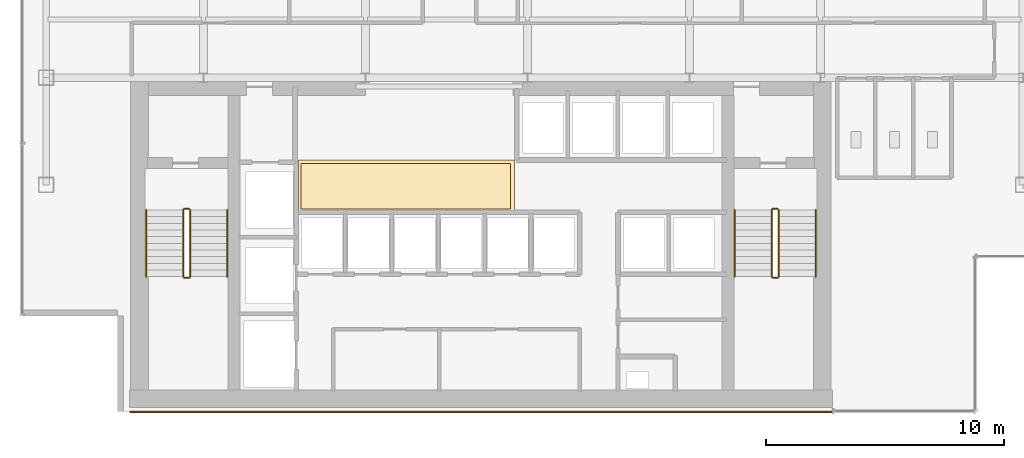
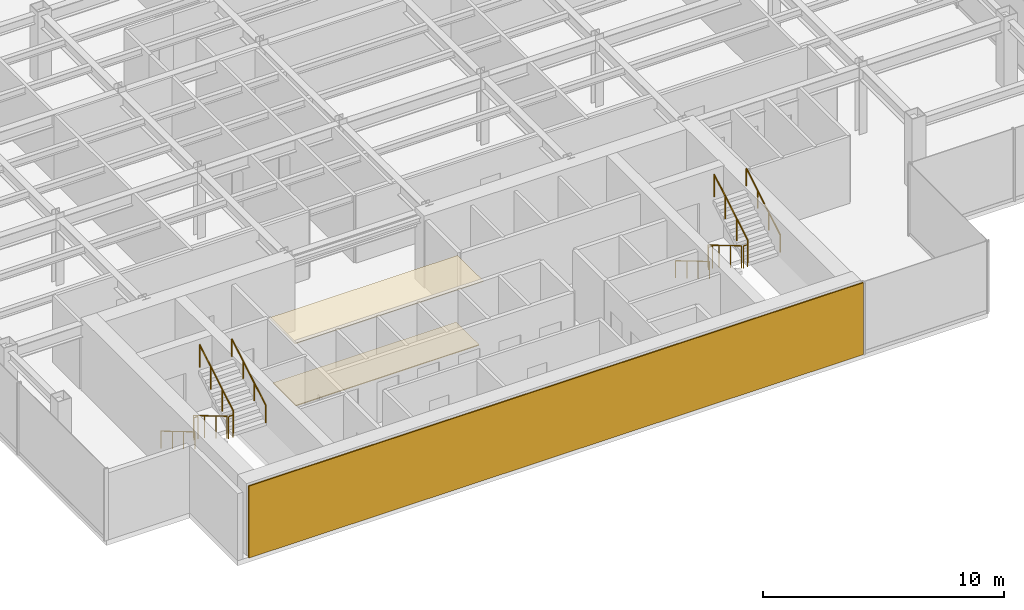
# One storey, part 23 of 25: 12 railings, 3 coverings.
"""IFC4 building model written with IfcOpenShell, lengths in metres."""

from ifc_helpers import new_model, si_unit, derived_unit, direction, frame, origin, origin_2d, place, context, subcontext, project, spatial, polyline, rectangle, circle, outline, extrude, source, transform, mapped, material, layer, layer_set, type_object, element, save


model = new_model("IFC4")

# Units and contexts
model_context = context("Model", 3, precision=1e-05, world=origin(), true_north=direction((0.0, 1.0)))
body_context = subcontext(model_context, "Body", "Model", "MODEL_VIEW")
ifc_project = project(units=[si_unit("LENGTHUNIT", "METRE"), si_unit("AREAUNIT", "SQUARE_METRE"), si_unit("VOLUMEUNIT", "CUBIC_METRE"), si_unit("PLANEANGLEUNIT", "RADIAN"), si_unit("MASSUNIT", "GRAM", prefix="KILO"), derived_unit("THERMALTRANSMITTANCEUNIT", [(si_unit("POWERUNIT", "WATT"), 1), (si_unit("LENGTHUNIT", "METRE"), -2), (si_unit("THERMODYNAMICTEMPERATUREUNIT", "KELVIN"), -1)])], contexts=[model_context])

# Site, building, storey
site_placement = place(None, origin())
site = spatial("IfcSite", under=ifc_project, at=site_placement, CompositionType="ELEMENT")
building_placement = place(site_placement, origin())
building = spatial("IfcBuilding", under=site, at=building_placement, Name="Skarnbrae Concourse Arena and Tower", CompositionType="ELEMENT")
storey_placement = place(building_placement, frame((0.0, 0.0, 144.25)))
storey = spatial("IfcBuildingStorey", under=building, at=storey_placement, Name="L36", CompositionType="ELEMENT", Elevation=144.25)

# Coverings
ifc_material_1 = material(Name="Mineral fibre acoustic ceiling tile", Category="other")
ifc_layer_1 = layer(ifc_material_1, 0.0400390625)
ifc_layer_set_1 = layer_set([ifc_layer_1], Name="Mineral fibre acoustic ceiling tile")
covering_type_1 = type_object("IfcCoveringType", Name="COV-CEIL-ACOUSTIC", PredefinedType="CEILING", material=ifc_layer_set_1)
covering_1_placement = place(storey_placement, frame((0.0, 0.0, 3.239990234375)))
element("IfcCovering", 1, at=covering_1_placement, inside=storey, type_object=covering_type_1, Name="L36 Lift lobby acoustic ceiling", PredefinedType="CEILING", context=body_context, shape_type="SweptSolid", body=[
    extrude(outline(polyline([(11.60009765625, 8.39990234375), (20.64990234375, 8.39990234375), (20.64990234375, 10.550048828125), (11.60009765625, 10.550048828125), (11.60009765625, 8.39990234375)])), origin(), (0.0, 0.0, 1.0), 0.0400390625),
])
ifc_material_2 = material(Name="Polished granite terrazzo flooring", Category="masonry")
ifc_layer_2 = layer(ifc_material_2, 0.0400390625)
ifc_layer_set_2 = layer_set([ifc_layer_2], Name="Polished granite terrazzo flooring")
covering_type_2 = type_object("IfcCoveringType", Name="COV-FLOOR-TERRAZZO", PredefinedType="FLOORING", material=ifc_layer_set_2)
covering_2_placement = place(storey_placement, origin())
element("IfcCovering", 2, at=covering_2_placement, inside=storey, type_object=covering_type_2, Name="L36 Lift lobby terrazzo flooring", PredefinedType="FLOORING", context=body_context, shape_type="SweptSolid", body=[
    extrude(outline(polyline([(11.699951171875, 8.5), (20.5, 8.5), (20.5, 10.39990234375), (11.699951171875, 10.39990234375), (11.699951171875, 8.5)])), origin(), (0.0, 0.0, 1.0), 0.0400390625),
])

# Railings
ifc_material_3 = material(Name="Steel CSA G40.21 350W", Category="steel")
railing_type_1 = type_object("IfcRailingType", Name="RAIL-HANDRAIL-900", PredefinedType="HANDRAIL", material=ifc_material_3)
railing_1_placement = place(storey_placement, frame((5.199951171875, 8.449951171875, 0.166015625)))
element("IfcRailing", 3, at=railing_1_placement, inside=storey, type_object=railing_type_1, Name="L36 ST-1 stair handrail 1", PredefinedType="HANDRAIL", context=body_context, shape_type="SweptSolid", body=[
    extrude(circle(Radius=0.02392578125, at=origin_2d()), frame((0.0, 0.0, 0.8759765625), z_axis=(0.0, -0.860339051648, 0.50972219513), x_axis=(1.0, 0.0, 0.0)), (0.0, 0.0, 1.0), 3.254638671875),
    extrude(circle(Radius=0.02099609375, at=origin_2d()), origin(), (0.0, 0.0, 1.0), 0.851806640625),
    extrude(circle(Radius=0.02099609375, at=origin_2d()), frame((0.0, -0.933349609375, 0.552978515625)), (0.0, 0.0, 1.0), 0.851806640625),
    extrude(circle(Radius=0.02099609375, at=origin_2d()), frame((0.0, -1.86669921875, 1.10595703125)), (0.0, 0.0, 1.0), 0.851806640625),
    extrude(circle(Radius=0.02099609375, at=origin_2d()), frame((0.0, -2.800048828125, 1.658935546875)), (0.0, 0.0, 1.0), 0.851806640625),
])
railing_2_placement = place(storey_placement, frame((8.60009765625, 5.64990234375, 1.990966796875)))
element("IfcRailing", 4, at=railing_2_placement, inside=storey, type_object=railing_type_1, Name="L36 ST-1 stair handrail 2", PredefinedType="HANDRAIL", context=body_context, shape_type="SweptSolid", body=[
    extrude(circle(Radius=0.02392578125, at=origin_2d()), frame((0.0, 0.0, 0.8759765625), z_axis=(0.0, 0.860339051648, 0.50972219513), x_axis=(-1.0, 0.0, 0.0)), (0.0, 0.0, 1.0), 3.254638671875),
    extrude(circle(Radius=0.02099609375, at=origin_2d()), origin(), (0.0, 0.0, 1.0), 0.851806640625),
    extrude(circle(Radius=0.02099609375, at=origin_2d()), frame((0.0, 0.933349609375, 0.552978515625)), (0.0, 0.0, 1.0), 0.851806640625),
    extrude(circle(Radius=0.02099609375, at=origin_2d()), frame((0.0, 1.86669921875, 1.10595703125)), (0.0, 0.0, 1.0), 0.851806640625),
    extrude(circle(Radius=0.02099609375, at=origin_2d()), frame((0.0, 2.800048828125, 1.658935546875)), (0.0, 0.0, 1.0), 0.851806640625),
])
railing_3_placement = place(storey_placement, frame((29.89990234375, 8.449951171875, 0.166015625)))
element("IfcRailing", 5, at=railing_3_placement, inside=storey, type_object=railing_type_1, Name="L36 ST-2 stair handrail 1", PredefinedType="HANDRAIL", context=body_context, shape_type="SweptSolid", body=[
    extrude(circle(Radius=0.02392578125, at=origin_2d()), frame((0.0, 0.0, 0.8759765625), z_axis=(0.0, -0.860339051648, 0.50972219513), x_axis=(1.0, 0.0, 0.0)), (0.0, 0.0, 1.0), 3.254638671875),
    extrude(circle(Radius=0.02099609375, at=origin_2d()), origin(), (0.0, 0.0, 1.0), 0.851806640625),
    extrude(circle(Radius=0.02099609375, at=origin_2d()), frame((0.0, -0.933349609375, 0.552978515625)), (0.0, 0.0, 1.0), 0.851806640625),
    extrude(circle(Radius=0.02099609375, at=origin_2d()), frame((0.0, -1.86669921875, 1.10595703125)), (0.0, 0.0, 1.0), 0.851806640625),
    extrude(circle(Radius=0.02099609375, at=origin_2d()), frame((0.0, -2.800048828125, 1.658935546875)), (0.0, 0.0, 1.0), 0.851806640625),
])
railing_4_placement = place(storey_placement, frame((33.300048828125, 5.64990234375, 1.990966796875)))
element("IfcRailing", 6, at=railing_4_placement, inside=storey, type_object=railing_type_1, Name="L36 ST-2 stair handrail 2", PredefinedType="HANDRAIL", context=body_context, shape_type="SweptSolid", body=[
    extrude(circle(Radius=0.02392578125, at=origin_2d()), frame((0.0, 0.0, 0.8759765625), z_axis=(0.0, 0.860339051648, 0.50972219513), x_axis=(-1.0, 0.0, 0.0)), (0.0, 0.0, 1.0), 3.254638671875),
    extrude(circle(Radius=0.02099609375, at=origin_2d()), origin(), (0.0, 0.0, 1.0), 0.851806640625),
    extrude(circle(Radius=0.02099609375, at=origin_2d()), frame((0.0, 0.933349609375, 0.552978515625)), (0.0, 0.0, 1.0), 0.851806640625),
    extrude(circle(Radius=0.02099609375, at=origin_2d()), frame((0.0, 1.86669921875, 1.10595703125)), (0.0, 0.0, 1.0), 0.851806640625),
    extrude(circle(Radius=0.02099609375, at=origin_2d()), frame((0.0, 2.800048828125, 1.658935546875)), (0.0, 0.0, 1.0), 0.851806640625),
])
railing_type_2 = type_object("IfcRailingType", Name="RAIL-STAIR-GUARD-1150", PredefinedType="GUARDRAIL", material=ifc_material_3)
railing_5_placement = place(storey_placement, frame((6.75, 8.449951171875, 0.166015625)))
element("IfcRailing", 7, at=railing_5_placement, inside=storey, type_object=railing_type_2, Name="L36 ST-1 stair guard 1", PredefinedType="GUARDRAIL", context=body_context, shape_type="SweptSolid", body=[
    extrude(circle(Radius=0.02392578125, at=origin_2d()), frame((0.0, 0.0, 1.1259765625), z_axis=(0.0, -0.860339051648, 0.50972219513), x_axis=(1.0, 0.0, 0.0)), (0.0, 0.0, 1.0), 3.254638671875),
    extrude(circle(Radius=0.02099609375, at=origin_2d()), origin(), (0.0, 0.0, 1.0), 1.101806640625),
    extrude(circle(Radius=0.02099609375, at=origin_2d()), frame((0.0, -0.933349609375, 0.552978515625)), (0.0, 0.0, 1.0), 1.101806640625),
    extrude(circle(Radius=0.02099609375, at=origin_2d()), frame((0.0, -1.86669921875, 1.10595703125)), (0.0, 0.0, 1.0), 1.101806640625),
    extrude(circle(Radius=0.02099609375, at=origin_2d()), frame((0.0, -2.800048828125, 1.658935546875)), (0.0, 0.0, 1.0), 1.101806640625),
])
railing_6_placement = place(storey_placement, frame((6.800048828125, 5.60009765625, 1.824951171875)))
element("IfcRailing", 8, at=railing_6_placement, inside=storey, type_object=railing_type_2, Name="L36 ST-1 stair guard 2", PredefinedType="GUARDRAIL", context=body_context, shape_type="SweptSolid", body=[
    extrude(circle(Radius=0.02392578125, at=origin_2d()), frame((0.0, 0.0, 1.1259765625), z_axis=(1.0, 0.0, 0.0), x_axis=(0.0, 1.0, 0.0)), (0.0, 0.0, 1.0), 0.199951171875),
    extrude(circle(Radius=0.02099609375, at=origin_2d()), origin(), (0.0, 0.0, 1.0), 1.101806640625),
    extrude(circle(Radius=0.02099609375, at=origin_2d()), frame((0.199951171875, 0.0, 0.0)), (0.0, 0.0, 1.0), 1.101806640625),
])
railing_7_placement = place(storey_placement, frame((7.050048828125, 5.64990234375, 1.990966796875)))
element("IfcRailing", 9, at=railing_7_placement, inside=storey, type_object=railing_type_2, Name="L36 ST-1 stair guard 3", PredefinedType="GUARDRAIL", context=body_context, shape_type="SweptSolid", body=[
    extrude(circle(Radius=0.02392578125, at=origin_2d()), frame((0.0, 0.0, 1.1259765625), z_axis=(0.0, 0.860339051648, 0.50972219513), x_axis=(-1.0, 0.0, 0.0)), (0.0, 0.0, 1.0), 3.254638671875),
    extrude(circle(Radius=0.02099609375, at=origin_2d()), origin(), (0.0, 0.0, 1.0), 1.101806640625),
    extrude(circle(Radius=0.02099609375, at=origin_2d()), frame((0.0, 0.933349609375, 0.552978515625)), (0.0, 0.0, 1.0), 1.101806640625),
    extrude(circle(Radius=0.02099609375, at=origin_2d()), frame((0.0, 1.86669921875, 1.10595703125)), (0.0, 0.0, 1.0), 1.101806640625),
    extrude(circle(Radius=0.02099609375, at=origin_2d()), frame((0.0, 2.800048828125, 1.658935546875)), (0.0, 0.0, 1.0), 1.101806640625),
])
railing_8_placement = place(storey_placement, frame((6.800048828125, 8.5, 0.0)))
element("IfcRailing", 10, at=railing_8_placement, inside=storey, type_object=railing_type_2, Name="L36 ST-1 stair guard 4", PredefinedType="GUARDRAIL", context=body_context, shape_type="SweptSolid", body=[
    extrude(circle(Radius=0.02392578125, at=origin_2d()), frame((0.0, 0.0, 1.1259765625), z_axis=(1.0, 0.0, 0.0), x_axis=(0.0, 1.0, 0.0)), (0.0, 0.0, 1.0), 0.199951171875),
    extrude(circle(Radius=0.02099609375, at=origin_2d()), origin(), (0.0, 0.0, 1.0), 1.101806640625),
    extrude(circle(Radius=0.02099609375, at=origin_2d()), frame((0.199951171875, 0.0, 0.0)), (0.0, 0.0, 1.0), 1.101806640625),
])
railing_9_placement = place(storey_placement, frame((31.449951171875, 8.449951171875, 0.166015625)))
element("IfcRailing", 11, at=railing_9_placement, inside=storey, type_object=railing_type_2, Name="L36 ST-2 stair guard 1", PredefinedType="GUARDRAIL", context=body_context, shape_type="SweptSolid", body=[
    extrude(circle(Radius=0.02392578125, at=origin_2d()), frame((0.0, 0.0, 1.1259765625), z_axis=(0.0, -0.860339051648, 0.50972219513), x_axis=(1.0, 0.0, 0.0)), (0.0, 0.0, 1.0), 3.254638671875),
    extrude(circle(Radius=0.02099609375, at=origin_2d()), origin(), (0.0, 0.0, 1.0), 1.101806640625),
    extrude(circle(Radius=0.02099609375, at=origin_2d()), frame((0.0, -0.933349609375, 0.552978515625)), (0.0, 0.0, 1.0), 1.101806640625),
    extrude(circle(Radius=0.02099609375, at=origin_2d()), frame((0.0, -1.86669921875, 1.10595703125)), (0.0, 0.0, 1.0), 1.101806640625),
    extrude(circle(Radius=0.02099609375, at=origin_2d()), frame((0.0, -2.800048828125, 1.658935546875)), (0.0, 0.0, 1.0), 1.101806640625),
])
railing_10_placement = place(storey_placement, frame((31.5, 5.60009765625, 1.824951171875)))
element("IfcRailing", 12, at=railing_10_placement, inside=storey, type_object=railing_type_2, Name="L36 ST-2 stair guard 2", PredefinedType="GUARDRAIL", context=body_context, shape_type="SweptSolid", body=[
    extrude(circle(Radius=0.02392578125, at=origin_2d()), frame((0.0, 0.0, 1.1259765625), z_axis=(1.0, 0.0, 0.0), x_axis=(0.0, 1.0, 0.0)), (0.0, 0.0, 1.0), 0.199951171875),
    extrude(circle(Radius=0.02099609375, at=origin_2d()), origin(), (0.0, 0.0, 1.0), 1.101806640625),
    extrude(circle(Radius=0.02099609375, at=origin_2d()), frame((0.199951171875, 0.0, 0.0)), (0.0, 0.0, 1.0), 1.101806640625),
])
railing_11_placement = place(storey_placement, frame((31.75, 5.64990234375, 1.990966796875)))
element("IfcRailing", 13, at=railing_11_placement, inside=storey, type_object=railing_type_2, Name="L36 ST-2 stair guard 3", PredefinedType="GUARDRAIL", context=body_context, shape_type="SweptSolid", body=[
    extrude(circle(Radius=0.02392578125, at=origin_2d()), frame((0.0, 0.0, 1.1259765625), z_axis=(0.0, 0.860339051648, 0.50972219513), x_axis=(-1.0, 0.0, 0.0)), (0.0, 0.0, 1.0), 3.254638671875),
    extrude(circle(Radius=0.02099609375, at=origin_2d()), origin(), (0.0, 0.0, 1.0), 1.101806640625),
    extrude(circle(Radius=0.02099609375, at=origin_2d()), frame((0.0, 0.933349609375, 0.552978515625)), (0.0, 0.0, 1.0), 1.101806640625),
    extrude(circle(Radius=0.02099609375, at=origin_2d()), frame((0.0, 1.86669921875, 1.10595703125)), (0.0, 0.0, 1.0), 1.101806640625),
    extrude(circle(Radius=0.02099609375, at=origin_2d()), frame((0.0, 2.800048828125, 1.658935546875)), (0.0, 0.0, 1.0), 1.101806640625),
])
railing_12_placement = place(storey_placement, frame((31.5, 8.5, 0.0)))
element("IfcRailing", 14, at=railing_12_placement, inside=storey, type_object=railing_type_2, Name="L36 ST-2 stair guard 4", PredefinedType="GUARDRAIL", context=body_context, shape_type="SweptSolid", body=[
    extrude(circle(Radius=0.02392578125, at=origin_2d()), frame((0.0, 0.0, 1.1259765625), z_axis=(1.0, 0.0, 0.0), x_axis=(0.0, 1.0, 0.0)), (0.0, 0.0, 1.0), 0.199951171875),
    extrude(circle(Radius=0.02099609375, at=origin_2d()), origin(), (0.0, 0.0, 1.0), 1.101806640625),
    extrude(circle(Radius=0.02099609375, at=origin_2d()), frame((0.199951171875, 0.0, 0.0)), (0.0, 0.0, 1.0), 1.101806640625),
])

# Covering
ifc_material_4 = material(Name="Bronze anodised aluminium 6063-T6", Category="aluminium")
ifc_layer_3 = layer(ifc_material_4, 0.06005859375)
ifc_layer_set_3 = layer_set([ifc_layer_3], Name="Bronze anodised aluminium 6063-T6")
covering_type_3 = type_object("IfcCoveringType", Name="COV-CLAD-BRONZE-60", PredefinedType="CLADDING", material=ifc_layer_set_3)
shared_shape = source(origin(), body_context, "Body", "SweptSolid", [
    extrude(rectangle(XDim=29.5, YDim=0.06005859375, at=origin_2d()), origin(), (0.0, 0.0, 1.0), 3.64990234375),
])
covering_3_placement = place(storey_placement, frame((19.25, -0.030029296875, 0.0), z_axis=(0.0, 0.0, 1.0), x_axis=(1.0, 0.0, 0.0)))
element("IfcCovering", 15, at=covering_3_placement, inside=storey, type_object=covering_type_3, Name="L36 Rear-core plumb spine bronze rainscreen panel", PredefinedType="CLADDING", context=body_context, shape_type="MappedRepresentation", body=[
    mapped(shared_shape, transform((0.0, 0.0, 0.0))),
])

save(model, "model.ifc")
